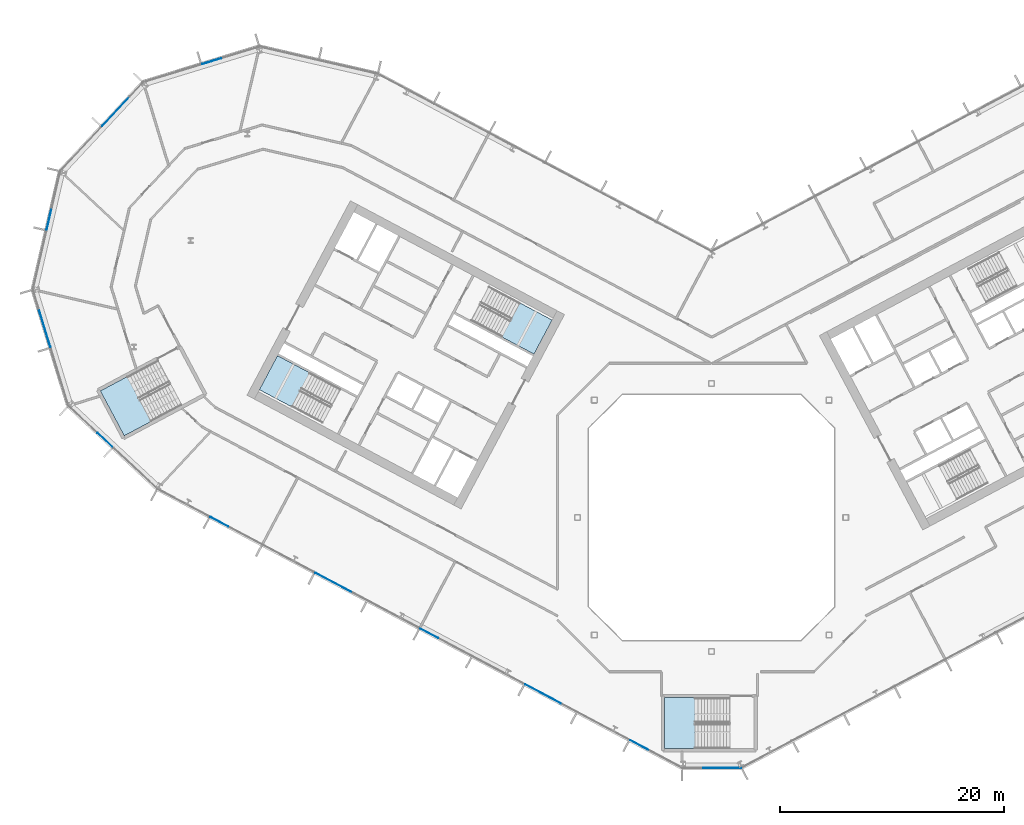
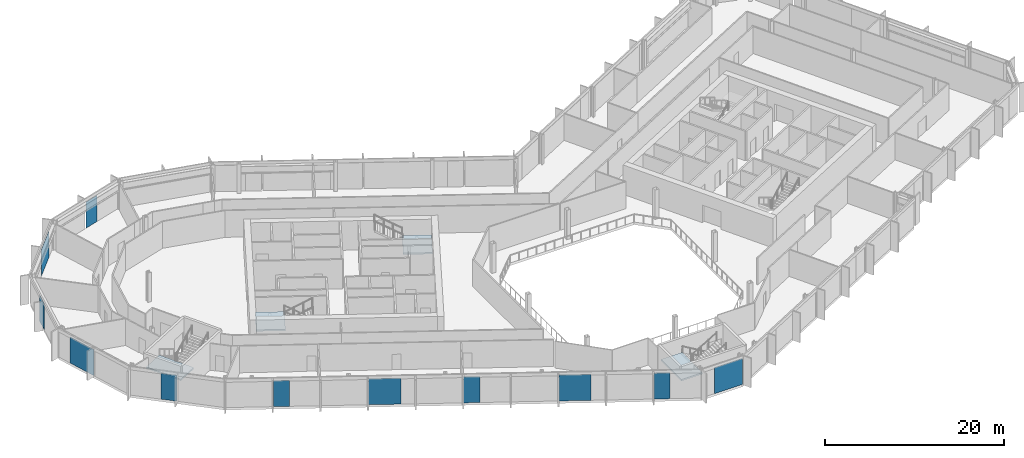
# One storey, part 11 of 28: 11 plates, 4 slabs, 11 elements without a shape of their own.
"""IFC4 building model written with IfcOpenShell, lengths in metres."""

import ifcopenshell
import ifcopenshell.guid

model = None  # the IFC model being written
_history = None  # IfcOwnerHistory: only IFC2X3 demands one
_inside = {}  # id of a spatial element -> (the spatial element, [elements in it])
_under = {}  # id of a project, library or spatial element -> (it, [spatial elements below it])
_declared = {}  # id of a project -> (the project, [libraries it declares])
_typed = {}  # id of a type object -> (the type object, [elements of that type])
_made_of = {}  # id of a material, layer set ... -> (it, [elements and type objects made of it])


def new_model(schema):
    """Start an empty IFC model of exactly this schema.

    Asked for "IFC4X3", IfcOpenShell would pick the latest addendum, in which some entities
    have other attributes; the version numbers below select the first issue.
    IFC2X3 requires an IfcOwnerHistory on every rooted entity: one is made here for all.
    """
    global model, _history
    if schema == "IFC4X3":
        model = ifcopenshell.file(schema_version=(4, 3, 0, 0))
    else:
        model = ifcopenshell.file(schema=schema)
    _inside.clear()
    _under.clear()
    _declared.clear()
    _typed.clear()
    _made_of.clear()
    _history = None
    if model.schema == "IFC2X3":
        org = make("IfcOrganization", Name="unknown")
        user = make(
            "IfcPersonAndOrganization",
            ThePerson=make("IfcPerson", FamilyName="unknown"),
            TheOrganization=org,
        )
        app = make(
            "IfcApplication",
            ApplicationDeveloper=org,
            Version="unknown",
            ApplicationFullName="unknown",
            ApplicationIdentifier="unknown",
        )
        _history = make(
            "IfcOwnerHistory",
            OwningUser=user,
            OwningApplication=app,
            ChangeAction="ADDED",
            CreationDate=0,
        )
    return model


def make(cls, **values):
    """One entity of the class cls with the attributes given. An attribute that is None is left unset."""
    return model.create_entity(
        cls, **{name: value for name, value in values.items() if value is not None}
    )


def rooted(cls, **values):
    """An entity with a GlobalId (a new one), such as an element, a storey or a relation."""
    return make(cls, GlobalId=ifcopenshell.guid.new(), OwnerHistory=_history, **values)


def si_unit(unit_type, name, prefix=None):
    """IfcSIUnit, for example si_unit("LENGTHUNIT", "METRE", prefix="MILLI")."""
    return make("IfcSIUnit", UnitType=unit_type, Prefix=prefix, Name=name)


def assignment(units):
    """IfcUnitAssignment: the units of a project."""
    return None if units is None else make("IfcUnitAssignment", Units=units)


def point(xyz):
    """IfcCartesianPoint."""
    return None if xyz is None else make("IfcCartesianPoint", Coordinates=xyz)


def direction(xyz):
    """IfcDirection."""
    return None if xyz is None else make("IfcDirection", DirectionRatios=xyz)


def frame(location, z_axis=None, x_axis=None):
    """IfcAxis2Placement3D, a coordinate frame: its origin and axes. An axis left out is left unset."""
    return make(
        "IfcAxis2Placement3D",
        Location=point(location),
        Axis=direction(z_axis),
        RefDirection=direction(x_axis),
    )


def frame_2d(location, x_axis=None):
    """IfcAxis2Placement2D, a coordinate frame in the plane: its origin and x axis."""
    return make(
        "IfcAxis2Placement2D", Location=point(location), RefDirection=direction(x_axis)
    )


def origin():
    """The frame at (0, 0, 0) with its axes left unset."""
    return frame((0.0, 0.0, 0.0))


def origin_2d():
    """The frame at (0, 0) in the plane with its x axis left unset."""
    return frame_2d((0.0, 0.0))


def place(relative_to, where):
    """IfcLocalPlacement: puts the frame where relative to a parent placement (None: the world)."""
    return make(
        "IfcLocalPlacement", PlacementRelTo=relative_to, RelativePlacement=where
    )


def context(
    kind, dimensions, precision=None, world=None, true_north=None, identifier=None
):
    """IfcGeometricRepresentationContext, for example the 3D "Model" context."""
    return make(
        "IfcGeometricRepresentationContext",
        ContextIdentifier=identifier,
        ContextType=kind,
        CoordinateSpaceDimension=dimensions,
        Precision=precision,
        WorldCoordinateSystem=world,
        TrueNorth=true_north,
    )


def subcontext(parent, identifier, kind, view, scale=None):
    """IfcGeometricRepresentationSubContext, for example "Body" below "Model"."""
    return make(
        "IfcGeometricRepresentationSubContext",
        ContextIdentifier=identifier,
        ContextType=kind,
        ParentContext=parent,
        TargetScale=scale,
        TargetView=view,
    )


def project(units=None, contexts=None):
    """IfcProject with its units and contexts."""
    return rooted(
        "IfcProject",
        Name="project",
        RepresentationContexts=contexts,
        UnitsInContext=assignment(units),
    )


def spatial(cls, under=None, at=None, **own):
    """A site, building, storey or space (cls), placed at a placement, below another one or the project."""
    s = rooted(cls, ObjectPlacement=at, **own)
    if under is not None:
        _under.setdefault(under.id(), (under, []))[1].append(s)
    return s


def polyline(points):
    """IfcPolyline through the points."""
    return make("IfcPolyline", Points=[point(p) for p in points])


def profile(cls, at=None, kind="AREA", **sizes):
    """A parametric profile (cls). Its sizes go by their IFC names, for example OverallWidth=200.0."""
    return make(cls, ProfileType=kind, Position=at, **sizes)


def rectangle(**sizes):
    """IfcRectangleProfileDef."""
    return profile("IfcRectangleProfileDef", **sizes)


def outline(outer, holes=None, kind="AREA"):
    """IfcArbitraryClosedProfileDef: a profile drawn as a closed curve; with holes, ...WithVoids."""
    if holes is None:
        return make("IfcArbitraryClosedProfileDef", ProfileType=kind, OuterCurve=outer)
    return make(
        "IfcArbitraryProfileDefWithVoids",
        ProfileType=kind,
        OuterCurve=outer,
        InnerCurves=holes,
    )


def extrude(swept, where, along, depth):
    """IfcExtrudedAreaSolid: the profile swept, set in the frame where, extruded along a direction by depth."""
    return make(
        "IfcExtrudedAreaSolid",
        SweptArea=swept,
        Position=where,
        ExtrudedDirection=direction(along),
        Depth=depth,
    )


def shape(context_of_items, identifier, shape_type, items):
    """IfcShapeRepresentation: the items that make up one representation, for example the "Body"."""
    return make(
        "IfcShapeRepresentation",
        ContextOfItems=context_of_items,
        RepresentationIdentifier=identifier,
        RepresentationType=shape_type,
        Items=items,
    )


def material(Name=None, Category=None):
    """IfcMaterial."""
    return make("IfcMaterial", Name=Name, Category=Category)


def layer(
    of_material, thickness, ventilated=None, Name=None, Category=None, Priority=None
):
    """IfcMaterialLayer: one layer of a wall or slab, of a material (None: an air gap)."""
    return make(
        "IfcMaterialLayer",
        Material=of_material,
        LayerThickness=thickness,
        IsVentilated=ventilated,
        Name=Name,
        Category=Category,
        Priority=Priority,
    )


def layer_set(layers, Name=None):
    """IfcMaterialLayerSet."""
    return make("IfcMaterialLayerSet", MaterialLayers=layers, LayerSetName=Name)


def made_of(thing, what):
    """Note that an element or type object is made of a material, layer set ...; save() writes the relation."""
    if what is not None:
        _made_of.setdefault(what.id(), (what, []))[1].append(thing)
    return thing


def type_object(cls, material=None, **own):
    """A type object (cls), such as IfcWallType, which elements share."""
    return made_of(rooted(cls, **own), material)


def element(
    cls,
    number,
    at=None,
    inside=None,
    cuts=None,
    type_object=None,
    material=None,
    context=None,
    identifier="Body",
    shape_type=None,
    held_by="IfcProductDefinitionShape",
    body=None,
    shapes=None,
    **own,
):
    """One element of the class cls, such as IfcWall. Its Tag is "e" and its number.

    at: its placement. inside: the storey or other place that contains it. cuts: it is an
    opening in that element (IfcRelVoidsElement). A single representation is given by context,
    identifier, shape_type and body (its items); several are given by shapes. held_by: the class
    of the entity that holds the representations. save() writes the other relations.
    """
    e = rooted(cls, Tag="e%d" % number, ObjectPlacement=at, **own)
    if body is not None:
        shapes = [shape(context, identifier, shape_type, body)]
    if shapes is not None:
        e.Representation = make(held_by, Representations=shapes)
    if inside is not None:
        _inside.setdefault(inside.id(), (inside, []))[1].append(e)
    if cuts is not None:
        rooted(
            "IfcRelVoidsElement", RelatingBuildingElement=cuts, RelatedOpeningElement=e
        )
    if type_object is not None:
        _typed.setdefault(type_object.id(), (type_object, []))[1].append(e)
    return made_of(e, material)


def aggregate(whole, parts):
    """IfcRelAggregates: a whole, such as a stair, and the parts it consists of."""
    return rooted("IfcRelAggregates", RelatingObject=whole, RelatedObjects=parts)


def save(model, path):
    """Write the relations noted so far, then the file.

    IfcRelAggregates (storeys below a building ...), IfcRelContainedInSpatialStructure (elements
    in a storey), IfcRelDefinesByType, IfcRelAssociatesMaterial and IfcRelDeclares: one each for
    every whole, place, type object, material and project.
    """
    for whole, parts in _under.values():
        aggregate(whole, parts)
    for where, things in _inside.values():
        rooted(
            "IfcRelContainedInSpatialStructure",
            RelatedElements=things,
            RelatingStructure=where,
        )
    for kind, things in _typed.values():
        rooted("IfcRelDefinesByType", RelatedObjects=things, RelatingType=kind)
    for what, things in _made_of.values():
        rooted("IfcRelAssociatesMaterial", RelatedObjects=things, RelatingMaterial=what)
    for by, libraries in _declared.values():
        rooted("IfcRelDeclares", RelatingContext=by, RelatedDefinitions=libraries)
    model.write(path)


model = new_model("IFC4")

# Units and contexts
model_context = context("Model", 3, precision=1e-05, world=origin(), true_north=direction((0.0, 1.0)))
body_context = subcontext(model_context, "Body", "Model", "MODEL_VIEW")
ifc_project = project(units=[si_unit("LENGTHUNIT", "METRE"), si_unit("AREAUNIT", "SQUARE_METRE"), si_unit("VOLUMEUNIT", "CUBIC_METRE"), si_unit("PLANEANGLEUNIT", "RADIAN"), si_unit("MASSUNIT", "GRAM", prefix="KILO")], contexts=[model_context])

# Site, building, storey
site_placement = place(None, origin())
site = spatial("IfcSite", under=ifc_project, at=site_placement, CompositionType="ELEMENT")
building_placement = place(site_placement, origin())
building = spatial("IfcBuilding", under=site, at=building_placement, Name="Cormorant Relay Tower", CompositionType="ELEMENT")
storey_placement = place(building_placement, frame((0.0, 0.0, 130.199951171875)))
storey = spatial("IfcBuildingStorey", under=building, at=storey_placement, Name="L26", CompositionType="ELEMENT", Elevation=130.199951171875)

# Curtain wall, plate
ifc_material_1 = material(Name="Aluminium 6063-T6 anodised bronze", Category="aluminium")
ifc_layer_1 = layer(ifc_material_1, 0.199951171875)
ifc_layer_set_1 = layer_set([ifc_layer_1], Name="CW1 unitised bronze curtain wall with vertical fins")
curtain_wall_type = type_object("IfcCurtainWallType", Name="CW1 unitised bronze curtain wall with vertical fins", PredefinedType="NOTDEFINED", material=ifc_layer_set_1)
curtain_wall_1_placement = place(storey_placement, origin())
curtain_wall_1 = element("IfcCurtainWall", 1, at=curtain_wall_1_placement, inside=storey, type_object=curtain_wall_type, Name="CW1 curtain wall 11", PredefinedType="NOTDEFINED")
ifc_material_2 = material(Name="Tinted laminated glass", Category="glass")
ifc_layer_2 = layer(ifc_material_2, 0.0400390625)
ifc_layer_set_2 = layer_set([ifc_layer_2], Name="CW1 tinted vision panel 1800 module")
plate_type_1 = type_object("IfcPlateType", Name="CW1 tinted vision panel 1800 module", PredefinedType="CURTAIN_PANEL", material=ifc_layer_set_2)
plate_1_placement = place(storey_placement, frame((-44.73681640625, 40.82861328125, 0.0), z_axis=(0.0, 0.0, 1.0), x_axis=(-0.956304755963, -0.292371704723, 0.0)))
plate_1 = element("IfcPlate", 2, at=plate_1_placement, type_object=plate_type_1, Name="CW1 panel V01", PredefinedType="CURTAIN_PANEL", context=body_context, shape_type="SweptSolid", body=[
    extrude(rectangle(XDim=1.800048828125, YDim=0.0400390625, at=origin_2d()), origin(), (0.0, 0.0, 1.0), 3.550048828125),
])
aggregate(curtain_wall_1, [plate_1])

curtain_wall_2_placement = place(storey_placement, origin())
curtain_wall_2 = element("IfcCurtainWall", 3, at=curtain_wall_2_placement, inside=storey, type_object=curtain_wall_type, Name="CW1 curtain wall 13", PredefinedType="NOTDEFINED")
plate_2_placement = place(storey_placement, frame((-59.29736328125, 26.643798828125, 0.0), z_axis=(0.0, 0.0, 1.0), x_axis=(-0.224951054344, -0.974370064785, 0.0)))
plate_2 = element("IfcPlate", 4, at=plate_2_placement, type_object=plate_type_1, Name="CW1 panel V01", PredefinedType="CURTAIN_PANEL", context=body_context, shape_type="SweptSolid", body=[
    extrude(rectangle(XDim=1.800048828125, YDim=0.0400390625, at=origin_2d()), origin(), (0.0, 0.0, 1.0), 3.550048828125),
])
aggregate(curtain_wall_2, [plate_2])

curtain_wall_3_placement = place(storey_placement, origin())
curtain_wall_3 = element("IfcCurtainWall", 5, at=curtain_wall_3_placement, inside=storey, type_object=curtain_wall_type, Name="CW1 curtain wall 15", PredefinedType="NOTDEFINED")
plate_3_placement = place(storey_placement, frame((-54.293212890625, 6.94140625, 0.0), z_axis=(0.0, 0.0, 1.0), x_axis=(0.731353701619, -0.681998360062, 0.0)))
plate_3 = element("IfcPlate", 6, at=plate_3_placement, type_object=plate_type_1, Name="CW1 panel V01", PredefinedType="CURTAIN_PANEL", context=body_context, shape_type="SweptSolid", body=[
    extrude(rectangle(XDim=1.800048828125, YDim=0.0400390625, at=origin_2d()), origin(), (0.0, 0.0, 1.0), 3.550048828125),
])
aggregate(curtain_wall_3, [plate_3])

# Curtain wall, plates
curtain_wall_4_placement = place(storey_placement, origin())
curtain_wall_4 = element("IfcCurtainWall", 7, at=curtain_wall_4_placement, inside=storey, type_object=curtain_wall_type, Name="CW1 curtain wall 16", PredefinedType="NOTDEFINED")
plate_4_placement = place(storey_placement, frame((-44.0458984375, -0.38720703125, 0.0), z_axis=(0.0, 0.0, 1.0), x_axis=(0.882947592859, -0.469471562786, 0.0)))
plate_4 = element("IfcPlate", 8, at=plate_4_placement, type_object=plate_type_1, Name="CW1 panel V01", PredefinedType="CURTAIN_PANEL", context=body_context, shape_type="SweptSolid", body=[
    extrude(rectangle(XDim=1.800048828125, YDim=0.0400390625, at=origin_2d()), origin(), (0.0, 0.0, 1.0), 3.550048828125),
])
plate_5_placement = place(storey_placement, frame((-25.268798828125, -10.37109375, 0.0), z_axis=(0.0, 0.0, 1.0), x_axis=(0.882947592859, -0.469471562786, 0.0)))
plate_5 = element("IfcPlate", 9, at=plate_5_placement, type_object=plate_type_1, Name="CW1 panel V05", PredefinedType="CURTAIN_PANEL", context=body_context, shape_type="SweptSolid", body=[
    extrude(rectangle(XDim=1.800048828125, YDim=0.0400390625, at=origin_2d()), origin(), (0.0, 0.0, 1.0), 3.550048828125),
])
plate_6_placement = place(storey_placement, frame((-6.49169921875, -20.35498046875, 0.0), z_axis=(0.0, 0.0, 1.0), x_axis=(0.882947592859, -0.469471562786, 0.0)))
plate_6 = element("IfcPlate", 10, at=plate_6_placement, type_object=plate_type_1, Name="CW1 panel V09", PredefinedType="CURTAIN_PANEL", context=body_context, shape_type="SweptSolid", body=[
    extrude(rectangle(XDim=1.800048828125, YDim=0.0400390625, at=origin_2d()), origin(), (0.0, 0.0, 1.0), 3.550048828125),
])

# Curtain wall, plate
curtain_wall_5_placement = place(storey_placement, origin())
curtain_wall_5 = element("IfcCurtainWall", 11, at=curtain_wall_5_placement, inside=storey, type_object=curtain_wall_type, Name="CW1 curtain wall 1", PredefinedType="NOTDEFINED")
ifc_material_3 = material(Name="Tinted laminated glass", Category="glass")
ifc_layer_3 = layer(ifc_material_3, 0.0400390625)
ifc_layer_set_3 = layer_set([ifc_layer_3], Name="CW1 tinted vision panel 3600 module")
plate_type_2 = type_object("IfcPlateType", Name="CW1 tinted vision panel 3600 module", PredefinedType="CURTAIN_PANEL", material=ifc_layer_set_3)
plate_7_placement = place(storey_placement, frame((0.848876953125, -22.3955078125, 0.0), z_axis=(0.0, 0.0, 1.0), x_axis=(1.0, 0.0, 0.0)))
plate_7 = element("IfcPlate", 12, at=plate_7_placement, type_object=plate_type_2, Name="CW1 panel V01", PredefinedType="CURTAIN_PANEL", context=body_context, shape_type="SweptSolid", body=[
    extrude(rectangle(XDim=3.60009765625, YDim=0.0400390625, at=origin_2d()), origin(), (0.0, 0.0, 1.0), 3.550048828125),
])
aggregate(curtain_wall_5, [plate_7])

curtain_wall_6_placement = place(storey_placement, origin())
curtain_wall_6 = element("IfcCurtainWall", 13, at=curtain_wall_6_placement, inside=storey, type_object=curtain_wall_type, Name="CW1 curtain wall 12", PredefinedType="NOTDEFINED")
plate_8_placement = place(storey_placement, frame((-53.3037109375, 36.34521484375, 0.0), z_axis=(0.0, 0.0, 1.0), x_axis=(-0.681998360062, -0.731353701619, 0.0)))
plate_8 = element("IfcPlate", 14, at=plate_8_placement, type_object=plate_type_2, Name="CW1 panel V01", PredefinedType="CURTAIN_PANEL", context=body_context, shape_type="SweptSolid", body=[
    extrude(rectangle(XDim=3.60009765625, YDim=0.0400390625, at=origin_2d()), origin(), (0.0, 0.0, 1.0), 3.550048828125),
])
aggregate(curtain_wall_6, [plate_8])

curtain_wall_7_placement = place(storey_placement, origin())
curtain_wall_7 = element("IfcCurtainWall", 15, at=curtain_wall_7_placement, inside=storey, type_object=curtain_wall_type, Name="CW1 curtain wall 14", PredefinedType="NOTDEFINED")
plate_9_placement = place(storey_placement, frame((-59.697998046875, 16.98291015625, 0.0), z_axis=(0.0, 0.0, 1.0), x_axis=(0.292371704723, -0.956304755963, 0.0)))
plate_9 = element("IfcPlate", 16, at=plate_9_placement, type_object=plate_type_2, Name="CW1 panel V01", PredefinedType="CURTAIN_PANEL", context=body_context, shape_type="SweptSolid", body=[
    extrude(rectangle(XDim=3.60009765625, YDim=0.0400390625, at=origin_2d()), origin(), (0.0, 0.0, 1.0), 3.550048828125),
])
aggregate(curtain_wall_7, [plate_9])

# Plate
plate_10_placement = place(storey_placement, frame((-33.862548828125, -5.801513671875, 0.0), z_axis=(0.0, 0.0, 1.0), x_axis=(0.882947592859, -0.469471562786, 0.0)))
plate_10 = element("IfcPlate", 17, at=plate_10_placement, type_object=plate_type_2, Name="CW1 panel V03", PredefinedType="CURTAIN_PANEL", context=body_context, shape_type="SweptSolid", body=[
    extrude(rectangle(XDim=3.60009765625, YDim=0.0400390625, at=origin_2d()), origin(), (0.0, 0.0, 1.0), 3.550048828125),
])

plate_11_placement = place(storey_placement, frame((-15.08544921875, -15.785400390625, 0.0), z_axis=(0.0, 0.0, 1.0), x_axis=(0.882947592859, -0.469471562786, 0.0)))
plate_11 = element("IfcPlate", 18, at=plate_11_placement, type_object=plate_type_2, Name="CW1 panel V07", PredefinedType="CURTAIN_PANEL", context=body_context, shape_type="SweptSolid", body=[
    extrude(rectangle(XDim=3.60009765625, YDim=0.0400390625, at=origin_2d()), origin(), (0.0, 0.0, 1.0), 3.550048828125),
])

aggregate(curtain_wall_4, [plate_4, plate_10, plate_5, plate_11, plate_6])

# Stair, slab
ifc_material_4 = material(Name="Concrete 40 MPa", Category="concrete")
stair_type_1 = type_object("IfcStairType", Name="Exit stair 1500", PredefinedType="HALF_TURN_STAIR", material=ifc_material_4)
stair_1_placement = place(storey_placement, origin())
stair_1 = element("IfcStair", 19, at=stair_1_placement, inside=storey, type_object=stair_type_1, Name="L26 Stair", PredefinedType="HALF_TURN_STAIR")
ifc_material_5 = material(Name="Concrete 40 MPa", Category="concrete")
ifc_layer_4 = layer(ifc_material_5, 0.199951171875)
ifc_layer_set_4 = layer_set([ifc_layer_4], Name="Exit stair landing 200")
slab_type = type_object("IfcSlabType", Name="Exit stair landing 200", PredefinedType="LANDING", material=ifc_layer_set_4)
slab_1_placement = place(storey_placement, frame((0.0, 0.0, 1.800048828125)))
slab_1 = element("IfcSlab", 20, at=slab_1_placement, type_object=slab_type, Name="A1 landing 1", PredefinedType="LANDING", context=body_context, shape_type="SweptSolid", body=[
    extrude(outline(polyline([(-18.7822265625, 16.1591796875), (-15.89501953125, 14.6240234375), (-14.275390625, 17.670166015625), (-17.16259765625, 19.205322265625), (-18.7822265625, 16.1591796875)])), origin(), (0.0, 0.0, 1.0), 0.199951171875),
])
aggregate(stair_1, [slab_1])

stair_2_placement = place(storey_placement, origin())
stair_2 = element("IfcStair", 21, at=stair_2_placement, inside=storey, type_object=stair_type_1, Name="L26 Stair", PredefinedType="HALF_TURN_STAIR")
slab_2_placement = place(storey_placement, frame((0.0, 0.0, 1.800048828125)))
slab_2 = element("IfcSlab", 22, at=slab_2_placement, type_object=slab_type, Name="A2 landing 1", PredefinedType="LANDING", context=body_context, shape_type="SweptSolid", body=[
    extrude(outline(polyline([(-35.96044921875, 12.947998046875), (-38.84765625, 14.483154296875), (-40.467529296875, 11.43701171875), (-37.580322265625, 9.90185546875), (-35.96044921875, 12.947998046875)])), origin(), (0.0, 0.0, 1.0), 0.199951171875),
])
aggregate(stair_2, [slab_2])

ifc_material_6 = material(Name="Concrete 40 MPa", Category="concrete")
stair_type_2 = type_object("IfcStairType", Name="Remote exit stair 2200", PredefinedType="HALF_TURN_STAIR", material=ifc_material_6)
stair_3_placement = place(storey_placement, origin())
stair_3 = element("IfcStair", 23, at=stair_3_placement, inside=storey, type_object=stair_type_2, Name="L26 Stair", PredefinedType="HALF_TURN_STAIR")
slab_3_placement = place(storey_placement, frame((0.0, 0.0, 1.800048828125)))
slab_3 = element("IfcSlab", 24, at=slab_3_placement, type_object=slab_type, Name="RK1 landing 1", PredefinedType="LANDING", context=body_context, shape_type="SweptSolid", body=[
    extrude(outline(polyline([(-1.47998046875, -16.125), (-4.199951171875, -16.125), (-4.199951171875, -20.675048828125), (-1.47998046875, -20.675048828125), (-1.47998046875, -16.125)])), origin(), (0.0, 0.0, 1.0), 0.199951171875),
])
aggregate(stair_3, [slab_3])

stair_4_placement = place(storey_placement, origin())
stair_4 = element("IfcStair", 25, at=stair_4_placement, inside=storey, type_object=stair_type_2, Name="L26 Stair", PredefinedType="HALF_TURN_STAIR")
slab_4_placement = place(storey_placement, frame((0.0, 0.0, 1.800048828125)))
slab_4 = element("IfcSlab", 26, at=slab_4_placement, type_object=slab_type, Name="RP1 landing 1", PredefinedType="LANDING", context=body_context, shape_type="SweptSolid", body=[
    extrude(outline(polyline([(-52.29833984375, 12.607666015625), (-54.699951171875, 11.330810546875), (-52.563720703125, 7.3134765625), (-50.162109375, 8.59033203125), (-52.29833984375, 12.607666015625)])), origin(), (0.0, 0.0, 1.0), 0.199951171875),
])
aggregate(stair_4, [slab_4])

save(model, "model.ifc")
